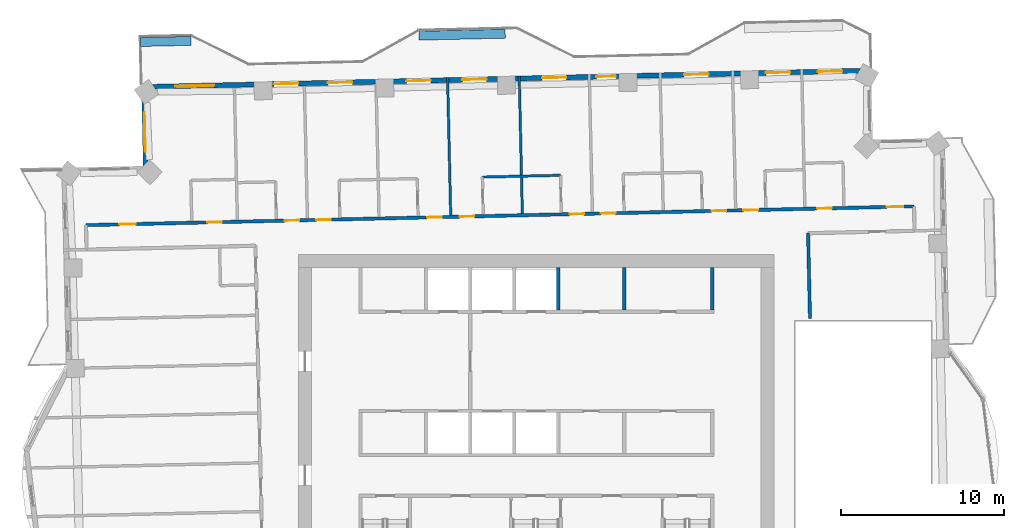
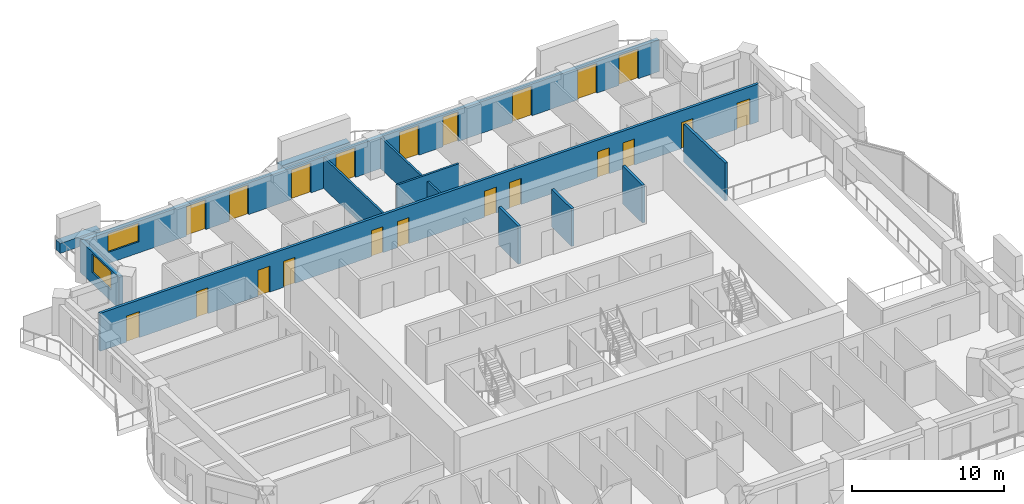
# One storey, part 11 of 16: 21 doors, 12 walls, 2 windows, 23 openings.
"""IFC4 building model written with IfcOpenShell, lengths in metres."""

from ifc_helpers import new_model, si_unit, direction, frame, frame_2d, origin, place, context, subcontext, project, spatial, rectangle, extrude, material, layer, layer_set, type_object, element, fill, save


model = new_model("IFC4")

# Units and contexts
model_context = context("Model", 3, precision=1e-05, world=origin(), true_north=direction((0.0, 1.0)))
body_context = subcontext(model_context, "Body", "Model", "MODEL_VIEW")
ifc_project = project(units=[si_unit("LENGTHUNIT", "METRE"), si_unit("AREAUNIT", "SQUARE_METRE"), si_unit("VOLUMEUNIT", "CUBIC_METRE"), si_unit("PLANEANGLEUNIT", "RADIAN"), si_unit("MASSUNIT", "GRAM", prefix="KILO")], contexts=[model_context])

# Site, building, storey
site_placement = place(None, origin())
site = spatial("IfcSite", under=ifc_project, at=site_placement, CompositionType="ELEMENT")
building_placement = place(site_placement, origin())
building = spatial("IfcBuilding", under=site, at=building_placement, Name="Mangrove Gate Tower", CompositionType="ELEMENT")
storey_placement = place(building_placement, frame((0.0, 0.0, 231.10009765625)))
storey = spatial("IfcBuildingStorey", under=building, at=storey_placement, Name="L58", CompositionType="ELEMENT", Elevation=231.10009765625)

# Walls
ifc_material_1 = material(Name="Concrete C32/40", Category="concrete")
ifc_layer_1 = layer(ifc_material_1, 0.199951171875)
ifc_layer_set_1 = layer_set([ifc_layer_1], Name="Core room wall 200 C32/40")
wall_type_1 = type_object("IfcWallType", Name="Core room wall 200 C32/40", PredefinedType="STANDARD", material=ifc_layer_set_1)
for number, where, z_axis, x_axis, name in (
    (1, (5.39990234375, 8.199951171875, 0.0), (0.0, 0.0, 1.0), (0.0, 1.0, 0.0), "WALL-L58-CORE-31"),
    (2, (10.800048828125, 8.199951171875, 0.0), (0.0, 0.0, 1.0), (0.0, 1.0, 0.0), "WALL-L58-CORE-32"),
):
    element("IfcWall", number, at=place(storey_placement, frame(where, z_axis=z_axis, x_axis=x_axis)), inside=storey, type_object=wall_type_1, Name=name, PredefinedType="STANDARD", context=body_context, shape_type="SweptSolid", body=[
        extrude(rectangle(XDim=2.60009765625, YDim=0.199951171875, at=frame_2d((1.300048828125, 0.0))), origin(), (0.0, 0.0, 1.0), 3.0498046875),
    ])
ifc_material_2 = material(Name="Concrete C60/75", Category="concrete")
ifc_layer_2 = layer(ifc_material_2, 0.199951171875)
ifc_layer_set_2 = layer_set([ifc_layer_2], Name="Core shaft wall 200 C60/75")
wall_type_2 = type_object("IfcWallType", Name="Core shaft wall 200 C60/75", PredefinedType="SHEAR", material=ifc_layer_set_2)
wall_1_placement = place(storey_placement, frame((1.35009765625, 8.199951171875, 0.0), z_axis=(0.0, 0.0, 1.0), x_axis=(0.0, 1.0, 0.0)))
element("IfcWall", 3, at=wall_1_placement, inside=storey, type_object=wall_type_2, Name="WALL-L58-CORE-30", PredefinedType="SHEAR", context=body_context, shape_type="SweptSolid", body=[
    extrude(rectangle(XDim=2.60009765625, YDim=0.199951171875, at=frame_2d((1.300048828125, 0.0))), origin(), (0.0, 0.0, 1.0), 3.0498046875),
])
ifc_material_3 = material(Name="Gypsum board on steel stud, EI 60", Category="steel")
ifc_layer_3 = layer(ifc_material_3, 0.199951171875)
ifc_layer_set_3 = layer_set([ifc_layer_3], Name="Corridor wall EI 60")
wall_type_3 = type_object("IfcWallType", Name="Corridor wall EI 60", PredefinedType="PARTITIONING", material=ifc_layer_set_3)
wall_2_placement = place(storey_placement, frame((16.802978515625, 7.675048828125, 0.0), z_axis=(0.0, 0.0, 1.0), x_axis=(-0.022667483124, 0.999743059595, 0.0)))
element("IfcWall", 4, at=wall_2_placement, inside=storey, type_object=wall_type_3, Name="WALL-L58-043", PredefinedType="PARTITIONING", context=body_context, shape_type="SweptSolid", body=[
    extrude(rectangle(XDim=5.245361328125, YDim=0.199951171875, at=frame_2d((2.62255859375, 0.0))), origin(), (0.0, 0.0, 1.0), 3.0498046875),
])

# Wall, openings, doors
wall_3_placement = place(storey_placement, frame((-27.652099609375, 13.4130859375, 0.0), z_axis=(0.0, 0.0, 1.0), x_axis=(0.999742610679, 0.022687273792, 0.0)))
wall_3 = element("IfcWall", 5, at=wall_3_placement, inside=storey, type_object=wall_type_3, Name="WALL-L58-053", PredefinedType="PARTITIONING", context=body_context, shape_type="SweptSolid", body=[
    extrude(rectangle(XDim=50.857177734375, YDim=0.199951171875, at=frame_2d((25.4287109375, 0.0))), origin(), (0.0, 0.0, 1.0), 3.0498046875),
])
opening_1_placement = place(wall_3_placement, frame((49.178955078125, 0.0, 0.0)))
opening_1 = element("IfcOpeningElement", 6, at=opening_1_placement, cuts=wall_3, Name="Opening AD", PredefinedType="OPENING", context=body_context, shape_type="SweptSolid", body=[
    extrude(rectangle(XDim=1.0, YDim=2.10009765625, at=frame_2d((0.5, 1.050048828125))), frame((0.0, 0.10986328125, 0.0), z_axis=(0.0, -1.0, 0.0), x_axis=(1.0, 0.0, 0.0)), (0.0, 0.0, 1.0), 0.219970703125),
])
opening_2_placement = place(wall_3_placement, frame((44.89990234375, 0.0, 0.0)))
opening_2 = element("IfcOpeningElement", 7, at=opening_2_placement, cuts=wall_3, Name="Opening SD", PredefinedType="OPENING", context=body_context, shape_type="SweptSolid", body=[
    extrude(rectangle(XDim=0.89990234375, YDim=2.10009765625, at=frame_2d((0.449951171875, 1.050048828125))), frame((0.0, 0.10986328125, 0.0), z_axis=(0.0, -1.0, 0.0), x_axis=(1.0, 0.0, 0.0)), (0.0, 0.0, 1.0), 0.219970703125),
])
opening_3_placement = place(wall_3_placement, frame((40.375, 0.0, 0.0)))
opening_3 = element("IfcOpeningElement", 8, at=opening_3_placement, cuts=wall_3, Name="Opening BD", PredefinedType="OPENING", context=body_context, shape_type="SweptSolid", body=[
    extrude(rectangle(XDim=0.89990234375, YDim=2.10009765625, at=frame_2d((0.449951171875, 1.050048828125))), frame((0.0, 0.10986328125, 0.0), z_axis=(0.0, -1.0, 0.0), x_axis=(1.0, 0.0, 0.0)), (0.0, 0.0, 1.0), 0.219970703125),
])
opening_4_placement = place(wall_3_placement, frame((38.425048828125, 0.0, 0.0)))
opening_4 = element("IfcOpeningElement", 9, at=opening_4_placement, cuts=wall_3, Name="Opening BD", PredefinedType="OPENING", context=body_context, shape_type="SweptSolid", body=[
    extrude(rectangle(XDim=0.89990234375, YDim=2.10009765625, at=frame_2d((0.449951171875, 1.050048828125))), frame((0.0, 0.10986328125, 0.0), z_axis=(0.0, -1.0, 0.0), x_axis=(1.0, 0.0, 0.0)), (0.0, 0.0, 1.0), 0.219970703125),
])
opening_5_placement = place(wall_3_placement, frame((31.625, 0.0, 0.0)))
opening_5 = element("IfcOpeningElement", 10, at=opening_5_placement, cuts=wall_3, Name="Opening BD", PredefinedType="OPENING", context=body_context, shape_type="SweptSolid", body=[
    extrude(rectangle(XDim=0.89990234375, YDim=2.10009765625, at=frame_2d((0.449951171875, 1.050048828125))), frame((0.0, 0.10986328125, 0.0), z_axis=(0.0, -1.0, 0.0), x_axis=(1.0, 0.0, 0.0)), (0.0, 0.0, 1.0), 0.219970703125),
])
opening_6_placement = place(wall_3_placement, frame((29.699951171875, 0.0, 0.0)))
opening_6 = element("IfcOpeningElement", 11, at=opening_6_placement, cuts=wall_3, Name="Opening BD", PredefinedType="OPENING", context=body_context, shape_type="SweptSolid", body=[
    extrude(rectangle(XDim=0.89990234375, YDim=2.10009765625, at=frame_2d((0.449951171875, 1.050048828125))), frame((0.0, 0.10986328125, 0.0), z_axis=(0.0, -1.0, 0.0), x_axis=(1.0, 0.0, 0.0)), (0.0, 0.0, 1.0), 0.219970703125),
])
opening_7_placement = place(wall_3_placement, frame((22.949951171875, 0.0, 0.0)))
opening_7 = element("IfcOpeningElement", 12, at=opening_7_placement, cuts=wall_3, Name="Opening BD", PredefinedType="OPENING", context=body_context, shape_type="SweptSolid", body=[
    extrude(rectangle(XDim=0.89990234375, YDim=2.10009765625, at=frame_2d((0.449951171875, 1.050048828125))), frame((0.0, 0.10986328125, 0.0), z_axis=(0.0, -1.0, 0.0), x_axis=(1.0, 0.0, 0.0)), (0.0, 0.0, 1.0), 0.219970703125),
])
opening_8_placement = place(wall_3_placement, frame((20.949951171875, 0.0, 0.0)))
opening_8 = element("IfcOpeningElement", 13, at=opening_8_placement, cuts=wall_3, Name="Opening BD", PredefinedType="OPENING", context=body_context, shape_type="SweptSolid", body=[
    extrude(rectangle(XDim=0.89990234375, YDim=2.10009765625, at=frame_2d((0.449951171875, 1.050048828125))), frame((0.0, 0.10986328125, 0.0), z_axis=(0.0, -1.0, 0.0), x_axis=(1.0, 0.0, 0.0)), (0.0, 0.0, 1.0), 0.219970703125),
])
opening_9_placement = place(wall_3_placement, frame((14.14990234375, 0.0, 0.0)))
opening_9 = element("IfcOpeningElement", 14, at=opening_9_placement, cuts=wall_3, Name="Opening BD", PredefinedType="OPENING", context=body_context, shape_type="SweptSolid", body=[
    extrude(rectangle(XDim=0.89990234375, YDim=2.10009765625, at=frame_2d((0.449951171875, 1.050048828125))), frame((0.0, 0.10986328125, 0.0), z_axis=(0.0, -1.0, 0.0), x_axis=(1.0, 0.0, 0.0)), (0.0, 0.0, 1.0), 0.219970703125),
])
opening_10_placement = place(wall_3_placement, frame((12.199951171875, 0.0, 0.0)))
opening_10 = element("IfcOpeningElement", 15, at=opening_10_placement, cuts=wall_3, Name="Opening BD", PredefinedType="OPENING", context=body_context, shape_type="SweptSolid", body=[
    extrude(rectangle(XDim=0.89990234375, YDim=2.10009765625, at=frame_2d((0.449951171875, 1.050048828125))), frame((0.0, 0.10986328125, 0.0), z_axis=(0.0, -1.0, 0.0), x_axis=(1.0, 0.0, 0.0)), (0.0, 0.0, 1.0), 0.219970703125),
])
opening_11_placement = place(wall_3_placement, frame((2.050048828125, 0.0, 0.0)))
opening_11 = element("IfcOpeningElement", 16, at=opening_11_placement, cuts=wall_3, Name="Opening AD", PredefinedType="OPENING", context=body_context, shape_type="SweptSolid", body=[
    extrude(rectangle(XDim=1.0, YDim=2.10009765625, at=frame_2d((0.5, 1.050048828125))), frame((0.0, 0.10986328125, 0.0), z_axis=(0.0, -1.0, 0.0), x_axis=(1.0, 0.0, 0.0)), (0.0, 0.0, 1.0), 0.219970703125),
])
opening_12_placement = place(wall_3_placement, frame((7.449951171875, 0.0, 0.0)))
opening_12 = element("IfcOpeningElement", 17, at=opening_12_placement, cuts=wall_3, Name="Opening SD", PredefinedType="OPENING", context=body_context, shape_type="SweptSolid", body=[
    extrude(rectangle(XDim=0.89990234375, YDim=2.10009765625, at=frame_2d((0.449951171875, 1.050048828125))), frame((0.0, 0.10986328125, 0.0), z_axis=(0.0, -1.0, 0.0), x_axis=(1.0, 0.0, 0.0)), (0.0, 0.0, 1.0), 0.219970703125),
])
ifc_material_4 = material(Name="Timber door leaf", Category="wood")
door_type_1 = type_object("IfcDoorType", Name="Amenity door 1000", OperationType="SINGLE_SWING_LEFT", PredefinedType="DOOR", material=ifc_material_4)
door_1_placement = place(opening_1_placement, origin())
door_1 = element("IfcDoor", 18, at=door_1_placement, inside=storey, type_object=door_type_1, Name="DOOR-L58-STU-c3c", OperationType="SINGLE_SWING_LEFT", OverallHeight=2.10009765625, OverallWidth=1.0, PredefinedType="DOOR", context=body_context, shape_type="SweptSolid", body=[
    extrude(rectangle(XDim=1.0, YDim=2.10009765625, at=frame_2d((0.5, 1.050048828125))), frame((0.0, 0.02490234375, 0.0), z_axis=(0.0, -1.0, 0.0), x_axis=(1.0, 0.0, 0.0)), (0.0, 0.0, 1.0), 0.050048828125),
])
fill(opening_1, door_1)
door_2_placement = place(opening_11_placement, origin())
door_2 = element("IfcDoor", 19, at=door_2_placement, inside=storey, type_object=door_type_1, Name="DOOR-L58-LNG-c5a", OperationType="SINGLE_SWING_RIGHT", OverallHeight=2.10009765625, OverallWidth=1.0, PredefinedType="DOOR", context=body_context, shape_type="SweptSolid", body=[
    extrude(rectangle(XDim=1.0, YDim=2.10009765625, at=frame_2d((0.5, 1.050048828125))), frame((0.0, 0.02490234375, 0.0), z_axis=(0.0, -1.0, 0.0), x_axis=(1.0, 0.0, 0.0)), (0.0, 0.0, 1.0), 0.050048828125),
])
fill(opening_11, door_2)
ifc_material_5 = material(Name="Timber door leaf", Category="wood")
door_type_2 = type_object("IfcDoorType", Name="Bedroom door 900", OperationType="SINGLE_SWING_LEFT", PredefinedType="DOOR", material=ifc_material_5)
door_3_placement = place(opening_3_placement, origin())
door_3 = element("IfcDoor", 20, at=door_3_placement, inside=storey, type_object=door_type_2, Name="DOOR-L58-BED-c309", OperationType="SINGLE_SWING_LEFT", OverallHeight=2.10009765625, OverallWidth=0.89990234375, PredefinedType="DOOR", context=body_context, shape_type="SweptSolid", body=[
    extrude(rectangle(XDim=0.89990234375, YDim=2.10009765625, at=frame_2d((0.449951171875, 1.050048828125))), frame((0.0, 0.02490234375, 0.0), z_axis=(0.0, -1.0, 0.0), x_axis=(1.0, 0.0, 0.0)), (0.0, 0.0, 1.0), 0.050048828125),
])
fill(opening_3, door_3)
door_4_placement = place(opening_4_placement, origin())
door_4 = element("IfcDoor", 21, at=door_4_placement, inside=storey, type_object=door_type_2, Name="DOOR-L58-BED-c310", OperationType="SINGLE_SWING_RIGHT", OverallHeight=2.10009765625, OverallWidth=0.89990234375, PredefinedType="DOOR", context=body_context, shape_type="SweptSolid", body=[
    extrude(rectangle(XDim=0.89990234375, YDim=2.10009765625, at=frame_2d((0.449951171875, 1.050048828125))), frame((0.0, 0.02490234375, 0.0), z_axis=(0.0, -1.0, 0.0), x_axis=(1.0, 0.0, 0.0)), (0.0, 0.0, 1.0), 0.050048828125),
])
fill(opening_4, door_4)
door_5_placement = place(opening_5_placement, origin())
door_5 = element("IfcDoor", 22, at=door_5_placement, inside=storey, type_object=door_type_2, Name="DOOR-L58-BED-c411", OperationType="SINGLE_SWING_LEFT", OverallHeight=2.10009765625, OverallWidth=0.89990234375, PredefinedType="DOOR", context=body_context, shape_type="SweptSolid", body=[
    extrude(rectangle(XDim=0.89990234375, YDim=2.10009765625, at=frame_2d((0.449951171875, 1.050048828125))), frame((0.0, 0.02490234375, 0.0), z_axis=(0.0, -1.0, 0.0), x_axis=(1.0, 0.0, 0.0)), (0.0, 0.0, 1.0), 0.050048828125),
])
fill(opening_5, door_5)
door_6_placement = place(opening_6_placement, origin())
door_6 = element("IfcDoor", 23, at=door_6_placement, inside=storey, type_object=door_type_2, Name="DOOR-L58-BED-c412", OperationType="SINGLE_SWING_RIGHT", OverallHeight=2.10009765625, OverallWidth=0.89990234375, PredefinedType="DOOR", context=body_context, shape_type="SweptSolid", body=[
    extrude(rectangle(XDim=0.89990234375, YDim=2.10009765625, at=frame_2d((0.449951171875, 1.050048828125))), frame((0.0, 0.02490234375, 0.0), z_axis=(0.0, -1.0, 0.0), x_axis=(1.0, 0.0, 0.0)), (0.0, 0.0, 1.0), 0.050048828125),
])
fill(opening_6, door_6)
door_7_placement = place(opening_7_placement, origin())
door_7 = element("IfcDoor", 24, at=door_7_placement, inside=storey, type_object=door_type_2, Name="DOOR-L58-BED-c413", OperationType="SINGLE_SWING_LEFT", OverallHeight=2.10009765625, OverallWidth=0.89990234375, PredefinedType="DOOR", context=body_context, shape_type="SweptSolid", body=[
    extrude(rectangle(XDim=0.89990234375, YDim=2.10009765625, at=frame_2d((0.449951171875, 1.050048828125))), frame((0.0, 0.02490234375, 0.0), z_axis=(0.0, -1.0, 0.0), x_axis=(1.0, 0.0, 0.0)), (0.0, 0.0, 1.0), 0.050048828125),
])
fill(opening_7, door_7)
door_8_placement = place(opening_8_placement, origin())
door_8 = element("IfcDoor", 25, at=door_8_placement, inside=storey, type_object=door_type_2, Name="DOOR-L58-BED-c514", OperationType="SINGLE_SWING_RIGHT", OverallHeight=2.10009765625, OverallWidth=0.89990234375, PredefinedType="DOOR", context=body_context, shape_type="SweptSolid", body=[
    extrude(rectangle(XDim=0.89990234375, YDim=2.10009765625, at=frame_2d((0.449951171875, 1.050048828125))), frame((0.0, 0.02490234375, 0.0), z_axis=(0.0, -1.0, 0.0), x_axis=(1.0, 0.0, 0.0)), (0.0, 0.0, 1.0), 0.050048828125),
])
fill(opening_8, door_8)
door_9_placement = place(opening_9_placement, origin())
door_9 = element("IfcDoor", 26, at=door_9_placement, inside=storey, type_object=door_type_2, Name="DOOR-L58-BED-c515", OperationType="SINGLE_SWING_LEFT", OverallHeight=2.10009765625, OverallWidth=0.89990234375, PredefinedType="DOOR", context=body_context, shape_type="SweptSolid", body=[
    extrude(rectangle(XDim=0.89990234375, YDim=2.10009765625, at=frame_2d((0.449951171875, 1.050048828125))), frame((0.0, 0.02490234375, 0.0), z_axis=(0.0, -1.0, 0.0), x_axis=(1.0, 0.0, 0.0)), (0.0, 0.0, 1.0), 0.050048828125),
])
fill(opening_9, door_9)
door_10_placement = place(opening_10_placement, origin())
door_10 = element("IfcDoor", 27, at=door_10_placement, inside=storey, type_object=door_type_2, Name="DOOR-L58-BED-c516", OperationType="SINGLE_SWING_RIGHT", OverallHeight=2.10009765625, OverallWidth=0.89990234375, PredefinedType="DOOR", context=body_context, shape_type="SweptSolid", body=[
    extrude(rectangle(XDim=0.89990234375, YDim=2.10009765625, at=frame_2d((0.449951171875, 1.050048828125))), frame((0.0, 0.02490234375, 0.0), z_axis=(0.0, -1.0, 0.0), x_axis=(1.0, 0.0, 0.0)), (0.0, 0.0, 1.0), 0.050048828125),
])
fill(opening_10, door_10)
ifc_material_6 = material(Name="Timber door leaf", Category="wood")
door_type_3 = type_object("IfcDoorType", Name="Service room door 900", OperationType="SINGLE_SWING_LEFT", PredefinedType="DOOR", material=ifc_material_6)
door_11_placement = place(opening_2_placement, origin())
door_11 = element("IfcDoor", 28, at=door_11_placement, inside=storey, type_object=door_type_3, Name="DOOR-L58-WC-c3a", OperationType="SINGLE_SWING_RIGHT", OverallHeight=2.10009765625, OverallWidth=0.89990234375, PredefinedType="DOOR", context=body_context, shape_type="SweptSolid", body=[
    extrude(rectangle(XDim=0.89990234375, YDim=2.10009765625, at=frame_2d((0.449951171875, 1.050048828125))), frame((0.0, 0.02490234375, 0.0), z_axis=(0.0, -1.0, 0.0), x_axis=(1.0, 0.0, 0.0)), (0.0, 0.0, 1.0), 0.050048828125),
])
fill(opening_2, door_11)
door_12_placement = place(opening_12_placement, origin())
door_12 = element("IfcDoor", 29, at=door_12_placement, inside=storey, type_object=door_type_3, Name="DOOR-L58-LDY-c5a", OperationType="SINGLE_SWING_LEFT", OverallHeight=2.10009765625, OverallWidth=0.89990234375, PredefinedType="DOOR", context=body_context, shape_type="SweptSolid", body=[
    extrude(rectangle(XDim=0.89990234375, YDim=2.10009765625, at=frame_2d((0.449951171875, 1.050048828125))), frame((0.0, 0.02490234375, 0.0), z_axis=(0.0, -1.0, 0.0), x_axis=(1.0, 0.0, 0.0)), (0.0, 0.0, 1.0), 0.050048828125),
])
fill(opening_12, door_12)

# Wall, openings, doors, window
ifc_material_7 = material(Name="Limestone", Category="masonry")
ifc_layer_4 = layer(ifc_material_7, 0.0400390625, Name="Limestone cladding")
ifc_material_8 = material(Name="Ventilated air gap")
ifc_layer_5 = layer(ifc_material_8, 0.0400390625, Name="Ventilated cavity")
ifc_material_9 = material(Name="Mineral wool insulation")
ifc_layer_6 = layer(ifc_material_9, 0.06005859375, Name="Insulation")
ifc_material_10 = material(Name="Breather membrane")
ifc_layer_7 = layer(ifc_material_10, 0.001953125, Name="Breather membrane")
ifc_material_11 = material(Name="Concrete C20/25 blockwork", Category="masonry")
ifc_layer_8 = layer(ifc_material_11, 0.14990234375, Name="Blockwork backing wall")
ifc_material_12 = material(Name="Gypsum plaster")
ifc_layer_9 = layer(ifc_material_12, 0.008056640625, Name="Internal plaster")
ifc_layer_set_4 = layer_set([ifc_layer_4, ifc_layer_5, ifc_layer_6, ifc_layer_7, ifc_layer_8, ifc_layer_9], Name="External wall 300 limestone cladding")
wall_type_4 = type_object("IfcWallType", Name="External wall 300 limestone cladding", PredefinedType="SOLIDWALL", material=ifc_layer_set_4)
wall_4_placement = place(storey_placement, frame((20.403076171875, 22.905029296875, 0.0), z_axis=(0.0, 0.0, 1.0), x_axis=(-0.99974298964, -0.022670568288, 0.0)))
wall_4 = element("IfcWall", 30, at=wall_4_placement, inside=storey, type_object=wall_type_4, Name="WALL-L58-N5", PredefinedType="SOLIDWALL", context=body_context, shape_type="SweptSolid", body=[
    extrude(rectangle(XDim=44.508544921875, YDim=0.300048828125, at=frame_2d((22.25439453125, 0.0))), origin(), (0.0, 0.0, 1.0), 2.5498046875),
])
opening_13_placement = place(wall_4_placement, frame((1.6201171875, 0.0, 0.0)))
opening_13 = element("IfcOpeningElement", 31, at=opening_13_placement, cuts=wall_4, Name="Opening BD1", PredefinedType="OPENING", context=body_context, shape_type="SweptSolid", body=[
    extrude(rectangle(XDim=1.5, YDim=2.39990234375, at=frame_2d((0.75, 1.199951171875))), frame((0.0, 0.159912109375, 0.0), z_axis=(0.0, -1.0, 0.0), x_axis=(1.0, 0.0, 0.0)), (0.0, 0.0, 1.0), 0.320068359375),
])
opening_14_placement = place(wall_4_placement, frame((4.81298828125, 0.0, 0.0)))
opening_14 = element("IfcOpeningElement", 32, at=opening_14_placement, cuts=wall_4, Name="Opening BD1", PredefinedType="OPENING", context=body_context, shape_type="SweptSolid", body=[
    extrude(rectangle(XDim=1.5, YDim=2.39990234375, at=frame_2d((0.75, 1.199951171875))), frame((0.0, 0.159912109375, 0.0), z_axis=(0.0, -1.0, 0.0), x_axis=(1.0, 0.0, 0.0)), (0.0, 0.0, 1.0), 0.320068359375),
])
opening_15_placement = place(wall_4_placement, frame((9.8330078125, 0.0, 0.0)))
opening_15 = element("IfcOpeningElement", 33, at=opening_15_placement, cuts=wall_4, Name="Opening BD1", PredefinedType="OPENING", context=body_context, shape_type="SweptSolid", body=[
    extrude(rectangle(XDim=1.5, YDim=2.39990234375, at=frame_2d((0.75, 1.199951171875))), frame((0.0, 0.159912109375, 0.0), z_axis=(0.0, -1.0, 0.0), x_axis=(1.0, 0.0, 0.0)), (0.0, 0.0, 1.0), 0.320068359375),
])
opening_16_placement = place(wall_4_placement, frame((15.52197265625, 0.0, 0.0)))
opening_16 = element("IfcOpeningElement", 34, at=opening_16_placement, cuts=wall_4, Name="Opening BD2", PredefinedType="OPENING", context=body_context, shape_type="SweptSolid", body=[
    extrude(rectangle(XDim=1.199951171875, YDim=2.39990234375, at=frame_2d((0.60009765625, 1.199951171875))), frame((0.0, 0.159912109375, 0.0), z_axis=(0.0, -1.0, 0.0), x_axis=(1.0, 0.0, 0.0)), (0.0, 0.0, 1.0), 0.320068359375),
])
opening_17_placement = place(wall_4_placement, frame((18.55810546875, 0.0, 0.0)))
opening_17 = element("IfcOpeningElement", 35, at=opening_17_placement, cuts=wall_4, Name="Opening BD1", PredefinedType="OPENING", context=body_context, shape_type="SweptSolid", body=[
    extrude(rectangle(XDim=1.5, YDim=2.39990234375, at=frame_2d((0.75, 1.199951171875))), frame((0.0, 0.159912109375, 0.0), z_axis=(0.0, -1.0, 0.0), x_axis=(1.0, 0.0, 0.0)), (0.0, 0.0, 1.0), 0.320068359375),
])
opening_18_placement = place(wall_4_placement, frame((23.4560546875, 0.0, 0.0)))
opening_18 = element("IfcOpeningElement", 36, at=opening_18_placement, cuts=wall_4, Name="Opening BD1", PredefinedType="OPENING", context=body_context, shape_type="SweptSolid", body=[
    extrude(rectangle(XDim=1.5, YDim=2.39990234375, at=frame_2d((0.75, 1.199951171875))), frame((0.0, 0.159912109375, 0.0), z_axis=(0.0, -1.0, 0.0), x_axis=(1.0, 0.0, 0.0)), (0.0, 0.0, 1.0), 0.320068359375),
])
opening_19_placement = place(wall_4_placement, frame((26.889892578125, 0.0, 0.0)))
opening_19 = element("IfcOpeningElement", 37, at=opening_19_placement, cuts=wall_4, Name="Opening BD1", PredefinedType="OPENING", context=body_context, shape_type="SweptSolid", body=[
    extrude(rectangle(XDim=1.5, YDim=2.39990234375, at=frame_2d((0.75, 1.199951171875))), frame((0.0, 0.159912109375, 0.0), z_axis=(0.0, -1.0, 0.0), x_axis=(1.0, 0.0, 0.0)), (0.0, 0.0, 1.0), 0.320068359375),
])
opening_20_placement = place(wall_4_placement, frame((31.7080078125, 0.0, 0.0)))
opening_20 = element("IfcOpeningElement", 38, at=opening_20_placement, cuts=wall_4, Name="Opening BD1", PredefinedType="OPENING", context=body_context, shape_type="SweptSolid", body=[
    extrude(rectangle(XDim=1.5, YDim=2.39990234375, at=frame_2d((0.75, 1.199951171875))), frame((0.0, 0.159912109375, 0.0), z_axis=(0.0, -1.0, 0.0), x_axis=(1.0, 0.0, 0.0)), (0.0, 0.0, 1.0), 0.320068359375),
])
opening_21_placement = place(wall_4_placement, frame((35.02392578125, 0.0, 0.0)))
opening_21 = element("IfcOpeningElement", 39, at=opening_21_placement, cuts=wall_4, Name="Opening BD1", PredefinedType="OPENING", context=body_context, shape_type="SweptSolid", body=[
    extrude(rectangle(XDim=1.5, YDim=2.39990234375, at=frame_2d((0.75, 1.199951171875))), frame((0.0, 0.159912109375, 0.0), z_axis=(0.0, -1.0, 0.0), x_axis=(1.0, 0.0, 0.0)), (0.0, 0.0, 1.0), 0.320068359375),
])
opening_22_placement = place(wall_4_placement, frame((40.173095703125, 0.0, 0.89990234375)))
opening_22 = element("IfcOpeningElement", 40, at=opening_22_placement, cuts=wall_4, Name="Opening W2", PredefinedType="OPENING", context=body_context, shape_type="SweptSolid", body=[
    extrude(rectangle(XDim=2.39990234375, YDim=1.5, at=frame_2d((1.199951171875, 0.75))), frame((0.0, 0.159912109375, 0.0), z_axis=(0.0, -1.0, 0.0), x_axis=(1.0, 0.0, 0.0)), (0.0, 0.0, 1.0), 0.320068359375),
])
ifc_material_13 = material(Name="Aluminium frame with laminated clear glass", Category="aluminium")
door_type_4 = type_object("IfcDoorType", Name="Balcony sliding door 1200x2400", OperationType="SLIDING_TO_LEFT", PredefinedType="DOOR", material=ifc_material_13)
door_13_placement = place(opening_16_placement, origin())
door_13 = element("IfcDoor", 41, at=door_13_placement, inside=storey, type_object=door_type_4, Name="DOOR-L58-N5-4", OperationType="SLIDING_TO_LEFT", OverallHeight=2.39990234375, OverallWidth=1.199951171875, PredefinedType="DOOR", context=body_context, shape_type="SweptSolid", body=[
    extrude(rectangle(XDim=1.199951171875, YDim=2.39990234375, at=frame_2d((0.60009765625, 1.199951171875))), frame((0.0, 0.02490234375, 0.0), z_axis=(0.0, -1.0, 0.0), x_axis=(1.0, 0.0, 0.0)), (0.0, 0.0, 1.0), 0.050048828125),
])
fill(opening_16, door_13)
ifc_material_14 = material(Name="Aluminium frame with laminated clear glass", Category="aluminium")
door_type_5 = type_object("IfcDoorType", Name="Balcony sliding door 1500x2400", OperationType="SLIDING_TO_LEFT", PredefinedType="DOOR", material=ifc_material_14)
door_14_placement = place(opening_13_placement, origin())
door_14 = element("IfcDoor", 42, at=door_14_placement, inside=storey, type_object=door_type_5, Name="DOOR-L58-N5-1", OperationType="SLIDING_TO_LEFT", OverallHeight=2.39990234375, OverallWidth=1.5, PredefinedType="DOOR", context=body_context, shape_type="SweptSolid", body=[
    extrude(rectangle(XDim=1.5, YDim=2.39990234375, at=frame_2d((0.75, 1.199951171875))), frame((0.0, 0.02490234375, 0.0), z_axis=(0.0, -1.0, 0.0), x_axis=(1.0, 0.0, 0.0)), (0.0, 0.0, 1.0), 0.050048828125),
])
fill(opening_13, door_14)
door_15_placement = place(opening_14_placement, origin())
door_15 = element("IfcDoor", 43, at=door_15_placement, inside=storey, type_object=door_type_5, Name="DOOR-L58-N5-2", OperationType="SLIDING_TO_LEFT", OverallHeight=2.39990234375, OverallWidth=1.5, PredefinedType="DOOR", context=body_context, shape_type="SweptSolid", body=[
    extrude(rectangle(XDim=1.5, YDim=2.39990234375, at=frame_2d((0.75, 1.199951171875))), frame((0.0, 0.02490234375, 0.0), z_axis=(0.0, -1.0, 0.0), x_axis=(1.0, 0.0, 0.0)), (0.0, 0.0, 1.0), 0.050048828125),
])
fill(opening_14, door_15)
door_16_placement = place(opening_15_placement, origin())
door_16 = element("IfcDoor", 44, at=door_16_placement, inside=storey, type_object=door_type_5, Name="DOOR-L58-N5-3", OperationType="SLIDING_TO_LEFT", OverallHeight=2.39990234375, OverallWidth=1.5, PredefinedType="DOOR", context=body_context, shape_type="SweptSolid", body=[
    extrude(rectangle(XDim=1.5, YDim=2.39990234375, at=frame_2d((0.75, 1.199951171875))), frame((0.0, 0.02490234375, 0.0), z_axis=(0.0, -1.0, 0.0), x_axis=(1.0, 0.0, 0.0)), (0.0, 0.0, 1.0), 0.050048828125),
])
fill(opening_15, door_16)
door_17_placement = place(opening_17_placement, origin())
door_17 = element("IfcDoor", 45, at=door_17_placement, inside=storey, type_object=door_type_5, Name="DOOR-L58-N5-5", OperationType="SLIDING_TO_LEFT", OverallHeight=2.39990234375, OverallWidth=1.5, PredefinedType="DOOR", context=body_context, shape_type="SweptSolid", body=[
    extrude(rectangle(XDim=1.5, YDim=2.39990234375, at=frame_2d((0.75, 1.199951171875))), frame((0.0, 0.02490234375, 0.0), z_axis=(0.0, -1.0, 0.0), x_axis=(1.0, 0.0, 0.0)), (0.0, 0.0, 1.0), 0.050048828125),
])
fill(opening_17, door_17)
door_18_placement = place(opening_18_placement, origin())
door_18 = element("IfcDoor", 46, at=door_18_placement, inside=storey, type_object=door_type_5, Name="DOOR-L58-N5-6", OperationType="SLIDING_TO_LEFT", OverallHeight=2.39990234375, OverallWidth=1.5, PredefinedType="DOOR", context=body_context, shape_type="SweptSolid", body=[
    extrude(rectangle(XDim=1.5, YDim=2.39990234375, at=frame_2d((0.75, 1.199951171875))), frame((0.0, 0.02490234375, 0.0), z_axis=(0.0, -1.0, 0.0), x_axis=(1.0, 0.0, 0.0)), (0.0, 0.0, 1.0), 0.050048828125),
])
fill(opening_18, door_18)
door_19_placement = place(opening_19_placement, origin())
door_19 = element("IfcDoor", 47, at=door_19_placement, inside=storey, type_object=door_type_5, Name="DOOR-L58-N5-7", OperationType="SLIDING_TO_LEFT", OverallHeight=2.39990234375, OverallWidth=1.5, PredefinedType="DOOR", context=body_context, shape_type="SweptSolid", body=[
    extrude(rectangle(XDim=1.5, YDim=2.39990234375, at=frame_2d((0.75, 1.199951171875))), frame((0.0, 0.02490234375, 0.0), z_axis=(0.0, -1.0, 0.0), x_axis=(1.0, 0.0, 0.0)), (0.0, 0.0, 1.0), 0.050048828125),
])
fill(opening_19, door_19)
door_20_placement = place(opening_20_placement, origin())
door_20 = element("IfcDoor", 48, at=door_20_placement, inside=storey, type_object=door_type_5, Name="DOOR-L58-N5-8", OperationType="SLIDING_TO_LEFT", OverallHeight=2.39990234375, OverallWidth=1.5, PredefinedType="DOOR", context=body_context, shape_type="SweptSolid", body=[
    extrude(rectangle(XDim=1.5, YDim=2.39990234375, at=frame_2d((0.75, 1.199951171875))), frame((0.0, 0.02490234375, 0.0), z_axis=(0.0, -1.0, 0.0), x_axis=(1.0, 0.0, 0.0)), (0.0, 0.0, 1.0), 0.050048828125),
])
fill(opening_20, door_20)
door_21_placement = place(opening_21_placement, origin())
door_21 = element("IfcDoor", 49, at=door_21_placement, inside=storey, type_object=door_type_5, Name="DOOR-L58-N5-9", OperationType="SLIDING_TO_LEFT", OverallHeight=2.39990234375, OverallWidth=1.5, PredefinedType="DOOR", context=body_context, shape_type="SweptSolid", body=[
    extrude(rectangle(XDim=1.5, YDim=2.39990234375, at=frame_2d((0.75, 1.199951171875))), frame((0.0, 0.02490234375, 0.0), z_axis=(0.0, -1.0, 0.0), x_axis=(1.0, 0.0, 0.0)), (0.0, 0.0, 1.0), 0.050048828125),
])
fill(opening_21, door_21)
ifc_material_15 = material(Name="Aluminium frame with double-glazed low-e glass", Category="aluminium")
window_type = type_object("IfcWindowType", Name="Corner room window 2400x1500", PartitioningType="DOUBLE_PANEL_VERTICAL", PredefinedType="WINDOW", material=ifc_material_15)
window_1_placement = place(opening_22_placement, origin())
window_1 = element("IfcWindow", 50, at=window_1_placement, inside=storey, type_object=window_type, Name="WIN-L58-N5-10", OverallHeight=1.5, OverallWidth=2.39990234375, PartitioningType="DOUBLE_PANEL_VERTICAL", PredefinedType="WINDOW", context=body_context, shape_type="SweptSolid", body=[
    extrude(rectangle(XDim=2.39990234375, YDim=1.5, at=frame_2d((1.199951171875, 0.75))), frame((0.0, 0.030029296875, 0.0), z_axis=(0.0, -1.0, 0.0), x_axis=(1.0, 0.0, 0.0)), (0.0, 0.0, 1.0), 0.06005859375),
])
fill(opening_22, window_1)

# Wall, opening, window
wall_5_placement = place(storey_placement, frame((-24.093994140625, 21.89599609375, 0.0), z_axis=(0.0, 0.0, 1.0), x_axis=(0.022606059803, -0.999744450377, 0.0)))
wall_5 = element("IfcWall", 51, at=wall_5_placement, inside=storey, type_object=wall_type_4, Name="WALL-L58-W6", PredefinedType="SOLIDWALL", context=body_context, shape_type="SweptSolid", body=[
    extrude(rectangle(XDim=5.000244140625, YDim=0.300048828125, at=frame_2d((2.5, 0.0))), origin(), (0.0, 0.0, 1.0), 2.5498046875),
])
opening_23_placement = place(wall_5_placement, frame((1.56591796875, 0.0, 0.89990234375)))
opening_23 = element("IfcOpeningElement", 52, at=opening_23_placement, cuts=wall_5, Name="Opening W2", PredefinedType="OPENING", context=body_context, shape_type="SweptSolid", body=[
    extrude(rectangle(XDim=2.39990234375, YDim=1.5, at=frame_2d((1.199951171875, 0.75))), frame((0.0, 0.159912109375, 0.0), z_axis=(0.0, -1.0, 0.0), x_axis=(1.0, 0.0, 0.0)), (0.0, 0.0, 1.0), 0.320068359375),
])
window_2_placement = place(opening_23_placement, origin())
window_2 = element("IfcWindow", 53, at=window_2_placement, inside=storey, type_object=window_type, Name="WIN-L58-W6-1", OverallHeight=1.5, OverallWidth=2.39990234375, PartitioningType="DOUBLE_PANEL_VERTICAL", PredefinedType="WINDOW", context=body_context, shape_type="SweptSolid", body=[
    extrude(rectangle(XDim=2.39990234375, YDim=1.5, at=frame_2d((1.199951171875, 0.75))), frame((0.0, 0.030029296875, 0.0), z_axis=(0.0, -1.0, 0.0), x_axis=(1.0, 0.0, 0.0)), (0.0, 0.0, 1.0), 0.06005859375),
])
fill(opening_23, window_2)

# Walls
ifc_material_16 = material(Name="Gypsum board on steel stud, EI 60", Category="steel")
ifc_layer_10 = layer(ifc_material_16, 0.14990234375)
ifc_layer_set_5 = layer_set([ifc_layer_10], Name="Party wall 150 EI 60")
wall_type_5 = type_object("IfcWallType", Name="Party wall 150 EI 60", PredefinedType="PARTITIONING", material=ifc_layer_set_5)
for number, where, z_axis, x_axis, name in (
    (54, (-5.256103515625, 14.02099609375, 0.0), (0.0, 0.0, 1.0), (-0.022708935798, 0.999742118866, 0.0), "WALL-L58-061"),
    (55, (-0.85791015625, 14.12109375, 0.0), (0.0, 0.0, 1.0), (-0.022622304913, 0.999744082913, 0.0), "WALL-L58-063"),
):
    element("IfcWall", number, at=place(storey_placement, frame(where, z_axis=z_axis, x_axis=x_axis)), inside=storey, type_object=wall_type_5, Name=name, PredefinedType="PARTITIONING", context=body_context, shape_type="SweptSolid", body=[
        extrude(rectangle(XDim=8.4501953125, YDim=0.14990234375, at=frame_2d((4.22509765625, 0.0))), origin(), (0.0, 0.0, 1.0), 2.5),
    ])
wall_6_placement = place(storey_placement, frame((-3.31298828125, 16.365966796875, 0.0), z_axis=(0.0, 0.0, 1.0), x_axis=(0.99974154664, 0.022734113616, 0.0)))
element("IfcWall", 56, at=wall_6_placement, inside=storey, type_object=wall_type_5, Name="WALL-L58-075", PredefinedType="PARTITIONING", context=body_context, shape_type="SweptSolid", body=[
    extrude(rectangle(XDim=4.80029296875, YDim=0.14990234375, at=frame_2d((2.400146484375, 0.0))), origin(), (0.0, 0.0, 1.0), 3.0498046875),
])
ifc_material_17 = material(Name="Concrete C32/40", Category="concrete")
ifc_layer_11 = layer(ifc_material_17, 0.199951171875, Name="Planter trough wall")
ifc_material_18 = material(Name="Bituminous waterproofing membrane")
ifc_layer_12 = layer(ifc_material_18, 0.0048828125, Name="Waterproofing")
ifc_material_19 = material(Name="Drainage board and gravel")
ifc_layer_13 = layer(ifc_material_19, 0.044921875, Name="Drainage layer")
ifc_material_20 = material(Name="Planting soil")
ifc_layer_14 = layer(ifc_material_20, 0.300048828125, Name="Growing medium")
ifc_layer_set_6 = layer_set([ifc_layer_11, ifc_layer_12, ifc_layer_13, ifc_layer_14], Name="Planter wall 550 C32/40")
wall_type_6 = type_object("IfcWallType", Name="Planter wall 550 C32/40", PredefinedType="USERDEFINED", material=ifc_layer_set_6)
wall_7_placement = place(storey_placement, frame((-24.306884765625, 24.656982421875, 0.0), z_axis=(0.0, 0.0, 1.0), x_axis=(0.999745114593, 0.022576665976, 0.0)))
element("IfcWall", 57, at=wall_7_placement, inside=storey, type_object=wall_type_6, Name="PLANTER L58 N1.1", ObjectType="PLANTER", PredefinedType="USERDEFINED", context=body_context, shape_type="SweptSolid", body=[
    extrude(rectangle(XDim=3.103515625, YDim=0.550048828125, at=frame_2d((1.5517578125, 0.0))), origin(), (0.0, 0.0, 1.0), 0.7998046875),
])
wall_8_placement = place(storey_placement, frame((-7.20703125, 25.044921875, 0.0), z_axis=(0.0, 0.0, 1.0), x_axis=(0.999743094541, 0.022665941778, 0.0)))
element("IfcWall", 58, at=wall_8_placement, inside=storey, type_object=wall_type_6, Name="PLANTER L58 N1.2", ObjectType="PLANTER", PredefinedType="USERDEFINED", context=body_context, shape_type="SweptSolid", body=[
    extrude(rectangle(XDim=5.299560546875, YDim=0.550048828125, at=frame_2d((2.64990234375, 0.0))), origin(), (0.0, 0.0, 1.0), 0.7998046875),
])

save(model, "model.ifc")
